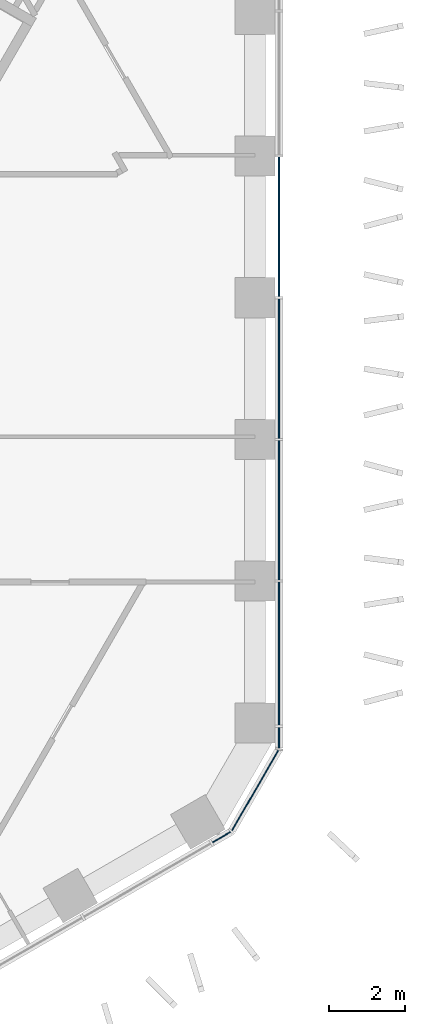
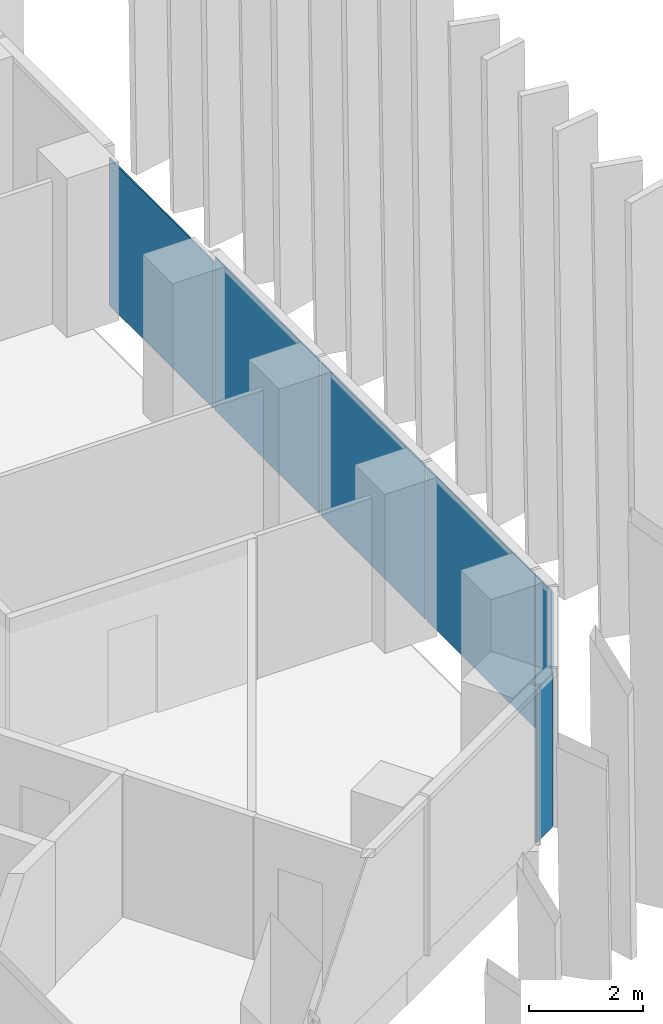
# One storey, part 10 of 19: 7 plates, 2 elements without a shape of their own.
"""IFC4 building model written with IfcOpenShell, lengths in metres."""

from ifc_helpers import new_model, si_unit, direction, frame, origin, origin_2d, place, context, subcontext, project, spatial, rectangle, extrude, material, layer, layer_set, type_object, element, aggregate, save


model = new_model("IFC4")

# Units and contexts
model_context = context("Model", 3, precision=1e-05, world=origin(), true_north=direction((0.0, 1.0)))
body_context = subcontext(model_context, "Body", "Model", "MODEL_VIEW")
ifc_project = project(units=[si_unit("LENGTHUNIT", "METRE"), si_unit("AREAUNIT", "SQUARE_METRE"), si_unit("VOLUMEUNIT", "CUBIC_METRE"), si_unit("PLANEANGLEUNIT", "RADIAN"), si_unit("MASSUNIT", "GRAM", prefix="KILO")], contexts=[model_context])

# Site, building, storey
site_placement = place(None, origin())
site = spatial("IfcSite", under=ifc_project, at=site_placement, CompositionType="ELEMENT")
building_placement = place(site_placement, origin())
building = spatial("IfcBuilding", under=site, at=building_placement, Name="Ayvan Gate Tower", CompositionType="ELEMENT")
storey_placement = place(building_placement, frame((0.0, 0.0, 93.300048828125)))
storey = spatial("IfcBuildingStorey", under=building, at=storey_placement, Name="L24", CompositionType="ELEMENT", Elevation=93.300048828125)

# Curtain wall, plates
ifc_material_1 = material(Name="Bronze anodised aluminium", Category="aluminium")
ifc_layer_1 = layer(ifc_material_1, 0.199951171875)
ifc_layer_set_1 = layer_set([ifc_layer_1], Name="Bronze anodised aluminium")
curtain_wall_type_1 = type_object("IfcCurtainWallType", Name="Stick curtain wall CW-1", PredefinedType="NOTDEFINED", material=ifc_layer_set_1)
curtain_wall_1_placement = place(storey_placement, origin())
curtain_wall_1 = element("IfcCurtainWall", 1, at=curtain_wall_1_placement, inside=storey, type_object=curtain_wall_type_1, Name="Stick curtain wall CW-1 L24", PredefinedType="NOTDEFINED")
ifc_material_2 = material(Name="Clear low-iron laminated glass", Category="glass")
ifc_layer_2 = layer(ifc_material_2, 0.028076171875)
ifc_layer_set_2 = layer_set([ifc_layer_2], Name="Clear low-iron laminated glass")
plate_type_1 = type_object("IfcPlateType", Name="Stick curtain wall CW-1 glass panel", PredefinedType="CURTAIN_PANEL", material=ifc_layer_set_2)
plate_1_placement = place(storey_placement, frame((20.110595703125, -7.480712890625, 0.0), z_axis=(0.0, 0.0, 1.0), x_axis=(0.0, 1.0, 0.0)))
plate_1 = element("IfcPlate", 2, at=plate_1_placement, type_object=plate_type_1, Name="CW-1 glass panel 1", PredefinedType="CURTAIN_PANEL", context=body_context, shape_type="SweptSolid", body=[
    extrude(rectangle(XDim=3.76806640625, YDim=0.028076171875, at=origin_2d()), origin(), (0.0, 0.0, 1.0), 3.280029296875),
])
plate_2_placement = place(storey_placement, frame((20.110595703125, -3.711181640625, 0.0), z_axis=(0.0, 0.0, 1.0), x_axis=(0.0, 1.0, 0.0)))
plate_2 = element("IfcPlate", 3, at=plate_2_placement, type_object=plate_type_1, Name="CW-1 glass panel 2", PredefinedType="CURTAIN_PANEL", context=body_context, shape_type="SweptSolid", body=[
    extrude(rectangle(XDim=3.65087890625, YDim=0.028076171875, at=origin_2d()), origin(), (0.0, 0.0, 1.0), 3.280029296875),
])
plate_3_placement = place(storey_placement, frame((20.110595703125, -0.000244140625, 0.0), z_axis=(0.0, 0.0, 1.0), x_axis=(0.0, 1.0, 0.0)))
plate_3 = element("IfcPlate", 4, at=plate_3_placement, type_object=plate_type_1, Name="CW-1 glass panel 3", PredefinedType="CURTAIN_PANEL", context=body_context, shape_type="SweptSolid", body=[
    extrude(rectangle(XDim=3.65087890625, YDim=0.028076171875, at=origin_2d()), origin(), (0.0, 0.0, 1.0), 3.280029296875),
])
plate_4_placement = place(storey_placement, frame((20.110595703125, 3.71142578125, 0.0), z_axis=(0.0, 0.0, 1.0), x_axis=(0.0, 1.0, 0.0)))
plate_4 = element("IfcPlate", 5, at=plate_4_placement, type_object=plate_type_1, Name="CW-1 glass panel 4", PredefinedType="CURTAIN_PANEL", context=body_context, shape_type="SweptSolid", body=[
    extrude(rectangle(XDim=3.652099609375, YDim=0.028076171875, at=origin_2d()), origin(), (0.0, 0.0, 1.0), 3.14990234375),
])
aggregate(curtain_wall_1, [plate_1, plate_2, plate_3, plate_4])

ifc_layer_3 = layer(ifc_material_1, 0.199951171875)
ifc_layer_set_3 = layer_set([ifc_layer_3], Name="Bronze anodised aluminium")
curtain_wall_type_2 = type_object("IfcCurtainWallType", Name="Stick curtain wall CW-6", PredefinedType="NOTDEFINED", material=ifc_layer_set_3)
curtain_wall_2_placement = place(storey_placement, origin())
curtain_wall_2 = element("IfcCurtainWall", 6, at=curtain_wall_2_placement, inside=storey, type_object=curtain_wall_type_2, Name="Stick curtain wall CW-6 L24", PredefinedType="NOTDEFINED")
ifc_layer_4 = layer(ifc_material_2, 0.028076171875)
ifc_layer_set_4 = layer_set([ifc_layer_4], Name="Clear low-iron laminated glass")
plate_type_2 = type_object("IfcPlateType", Name="Stick curtain wall CW-6 glass panel", PredefinedType="CURTAIN_PANEL", material=ifc_layer_set_4)
plate_5_placement = place(storey_placement, frame((18.607421875, -12.27294921875, 0.0), z_axis=(0.0, 0.0, 1.0), x_axis=(0.866025403784, 0.5, 0.0)))
plate_5 = element("IfcPlate", 7, at=plate_5_placement, type_object=plate_type_2, Name="CW-6 glass panel 1", PredefinedType="CURTAIN_PANEL", context=body_context, shape_type="SweptSolid", body=[
    extrude(rectangle(XDim=0.550048828125, YDim=0.028076171875, at=origin_2d()), origin(), (0.0, 0.0, 1.0), 3.280029296875),
])
plate_6_placement = place(storey_placement, frame((19.489013671875, -11.04638671875, 0.0), z_axis=(0.0, 0.0, 1.0), x_axis=(0.5, 0.866025403784, 0.0)))
plate_6 = element("IfcPlate", 8, at=plate_6_placement, type_object=plate_type_2, Name="CW-6 glass panel 2", PredefinedType="CURTAIN_PANEL", context=body_context, shape_type="SweptSolid", body=[
    extrude(rectangle(XDim=2.4365234375, YDim=0.028076171875, at=origin_2d()), origin(), (0.0, 0.0, 1.0), 3.280029296875),
])
plate_7_placement = place(storey_placement, frame((20.110595703125, -9.669677734375, 0.0), z_axis=(0.0, 0.0, 1.0), x_axis=(0.0, 1.0, 0.0)))
plate_7 = element("IfcPlate", 9, at=plate_7_placement, type_object=plate_type_2, Name="CW-6 glass panel 3", PredefinedType="CURTAIN_PANEL", context=body_context, shape_type="SweptSolid", body=[
    extrude(rectangle(XDim=0.550048828125, YDim=0.028076171875, at=origin_2d()), origin(), (0.0, 0.0, 1.0), 3.280029296875),
])
aggregate(curtain_wall_2, [plate_5, plate_6, plate_7])

save(model, "model.ifc")
